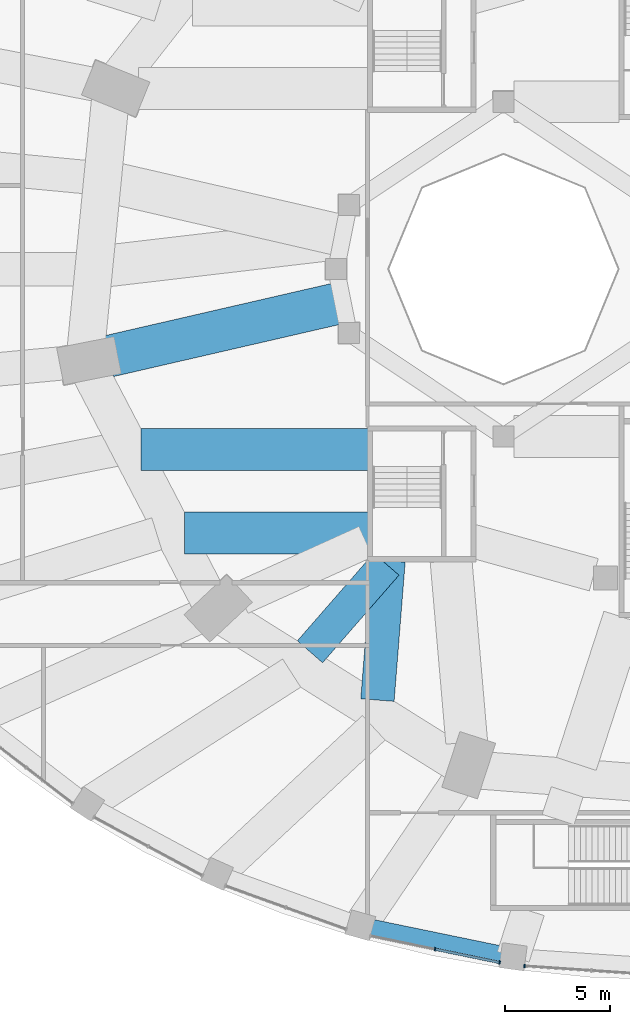
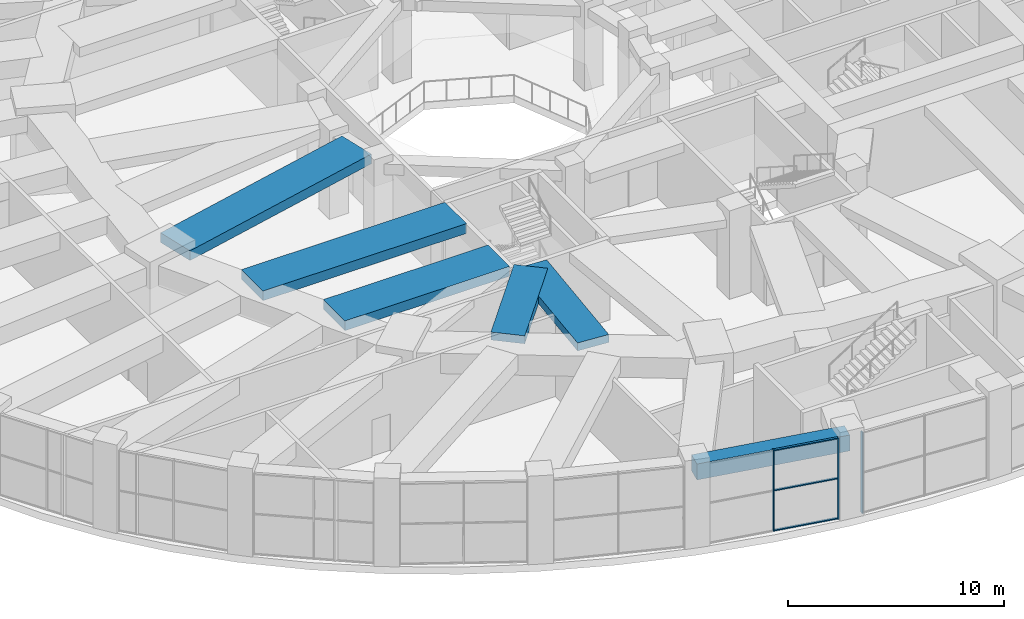
# One storey, part 4 of 32: 6 beams, 6 members, 2 elements without a shape of their own.
"""IFC4 building model written with IfcOpenShell, lengths in metres."""

from ifc_helpers import new_model, si_unit, direction, frame, origin, origin_2d, place, context, subcontext, project, spatial, rectangle, extrude, material, material_profile, profile_set, type_object, element, aggregate, save


model = new_model("IFC4")

# Units and contexts
model_context = context("Model", 3, precision=1e-05, world=origin(), true_north=direction((0.0, 1.0)))
body_context = subcontext(model_context, "Body", "Model", "MODEL_VIEW")
ifc_project = project(units=[si_unit("LENGTHUNIT", "METRE"), si_unit("AREAUNIT", "SQUARE_METRE"), si_unit("VOLUMEUNIT", "CUBIC_METRE"), si_unit("PLANEANGLEUNIT", "RADIAN"), si_unit("MASSUNIT", "GRAM", prefix="KILO")], contexts=[model_context])

# Site, building, storey
site_placement = place(None, origin())
site = spatial("IfcSite", under=ifc_project, at=site_placement, CompositionType="ELEMENT")
building_placement = place(site_placement, origin())
building = spatial("IfcBuilding", under=site, at=building_placement, Name="Taillehof Tower", CompositionType="ELEMENT")
storey_placement = place(building_placement, frame((0.0, 0.0, 7.5)))
storey = spatial("IfcBuildingStorey", under=building, at=storey_placement, Name="L01", CompositionType="ELEMENT", Elevation=7.5)

# Beam
ifc_material_1 = material(Name="Concrete C50/60", Category="concrete")
ifc_material_profile_1 = material_profile(ifc_material_1, rectangle(XDim=0.800048828125, YDim=0.89990234375, at=origin_2d()), Name="RC 800x900")
ifc_profile_set_1 = profile_set([ifc_material_profile_1], Name="Concrete C50/60")
beam_type_1 = type_object("IfcBeamType", Name="Podium edge beam C50/60 800x900", PredefinedType="BEAM", material=ifc_profile_set_1)
beam_1_placement = place(storey_placement, frame((-14.84375, -31.3857421875, 4.139892578125), z_axis=(0.979394077534, -0.201958512797, 0.0), x_axis=(0.201958512797, 0.979394077534, 0.0)))
element("IfcBeam", 1, at=beam_1_placement, inside=storey, type_object=beam_type_1, Name="Podium edge beam PB26", PredefinedType="BEAM", context=body_context, shape_type="SweptSolid", body=[
    extrude(rectangle(XDim=0.800048828125, YDim=0.89990234375, at=origin_2d()), origin(), (0.0, 0.0, 1.0), 7.461181640625),
])

# Curtain wall, members
ifc_material_2 = material(Name="Aluminium curtain wall with Clear low-emissivity double glazing", Category="aluminium")
curtain_wall_type = type_object("IfcCurtainWallType", Name="Podium window wall curtain wall", PredefinedType="USERDEFINED", material=ifc_material_2)
curtain_wall_1_placement = place(storey_placement, origin())
curtain_wall_1 = element("IfcCurtainWall", 2, at=curtain_wall_1_placement, inside=storey, type_object=curtain_wall_type, Name="Podium window wall L01 bay 26", ObjectType="WINDOW WALL", PredefinedType="USERDEFINED")
ifc_material_3 = material(Name="Aluminium mullion", Category="aluminium")
ifc_material_profile_2 = material_profile(ifc_material_3, rectangle(XDim=0.159912109375, YDim=0.06005859375, at=origin_2d()), Name="AL 60x160")
ifc_profile_set_2 = profile_set([ifc_material_profile_2], Name="Aluminium mullion")
member_type_1 = type_object("IfcMemberType", Name="Podium window wall mullion 60x160", PredefinedType="MULLION", material=ifc_profile_set_2)
member_1_placement = place(storey_placement, frame((-11.27099609375, -32.529296875, 0.0), z_axis=(0.0, 0.0, 1.0), x_axis=(0.201976001877, 0.97939047099, 0.0)))
member_1 = element("IfcMember", 3, at=member_1_placement, type_object=member_type_1, Name="CT226 mullion 2", PredefinedType="MULLION", context=body_context, shape_type="SweptSolid", body=[
    extrude(rectangle(XDim=0.159912109375, YDim=0.06005859375, at=origin_2d()), origin(), (0.0, 0.0, 1.0), 4.590087890625),
])
member_2_placement = place(storey_placement, frame((-8.17919921875, -33.1669921875, 0.0), z_axis=(0.0, 0.0, 1.0), x_axis=(0.201976001877, 0.97939047099, 0.0)))
member_2 = element("IfcMember", 4, at=member_2_placement, type_object=member_type_1, Name="CT226 mullion 3", PredefinedType="MULLION", context=body_context, shape_type="SweptSolid", body=[
    extrude(rectangle(XDim=0.159912109375, YDim=0.06005859375, at=origin_2d()), origin(), (0.0, 0.0, 1.0), 4.590087890625),
])

# Curtain wall, member
curtain_wall_2_placement = place(storey_placement, origin())
curtain_wall_2 = element("IfcCurtainWall", 5, at=curtain_wall_2_placement, inside=storey, type_object=curtain_wall_type, Name="Podium window wall L01 bay 27", ObjectType="WINDOW WALL", PredefinedType="USERDEFINED")
member_3_placement = place(storey_placement, frame((-6.990234375, -33.328857421875, 0.0), z_axis=(0.0, 0.0, 1.0), x_axis=(0.067182989977, 0.997740670644, 0.0)))
member_3 = element("IfcMember", 6, at=member_3_placement, type_object=member_type_1, Name="CT227 mullion 1", PredefinedType="MULLION", context=body_context, shape_type="SweptSolid", body=[
    extrude(rectangle(XDim=0.159912109375, YDim=0.06005859375, at=origin_2d()), origin(), (0.0, 0.0, 1.0), 4.590087890625),
])
aggregate(curtain_wall_2, [member_3])

# Member
ifc_material_4 = material(Name="Aluminium transom", Category="aluminium")
ifc_material_profile_3 = material_profile(ifc_material_4, rectangle(XDim=0.1201171875, YDim=0.06005859375, at=origin_2d()), Name="AL 120x60")
ifc_profile_set_3 = profile_set([ifc_material_profile_3], Name="Aluminium transom")
member_type_2 = type_object("IfcMemberType", Name="Podium window wall transom 120x60", PredefinedType="USERDEFINED", material=ifc_profile_set_3)
member_4_placement = place(storey_placement, frame((-11.24169921875, -32.535400390625, 0.030029296875), z_axis=(0.979389666619, -0.201979902268, 0.0), x_axis=(0.201979902268, 0.979389666619, 0.0)))
member_4 = element("IfcMember", 7, at=member_4_placement, type_object=member_type_2, Name="CT226 transom 2.1", ObjectType="TRANSOM", PredefinedType="USERDEFINED", context=body_context, shape_type="SweptSolid", body=[
    extrude(rectangle(XDim=0.1201171875, YDim=0.06005859375, at=origin_2d()), origin(), (0.0, 0.0, 1.0), 3.0966796875),
])

member_5_placement = place(storey_placement, frame((-11.24169921875, -32.535400390625, 2.294921875), z_axis=(0.979389666619, -0.201979902268, 0.0), x_axis=(0.201979902268, 0.979389666619, 0.0)))
member_5 = element("IfcMember", 8, at=member_5_placement, type_object=member_type_2, Name="CT226 transom 2.2", ObjectType="TRANSOM", PredefinedType="USERDEFINED", context=body_context, shape_type="SweptSolid", body=[
    extrude(rectangle(XDim=0.1201171875, YDim=0.06005859375, at=origin_2d()), origin(), (0.0, 0.0, 1.0), 3.0966796875),
])

member_6_placement = place(storey_placement, frame((-11.24169921875, -32.535400390625, 4.56005859375), z_axis=(0.979389666619, -0.201979902268, 0.0), x_axis=(0.201979902268, 0.979389666619, 0.0)))
member_6 = element("IfcMember", 9, at=member_6_placement, type_object=member_type_2, Name="CT226 transom 2.3", ObjectType="TRANSOM", PredefinedType="USERDEFINED", context=body_context, shape_type="SweptSolid", body=[
    extrude(rectangle(XDim=0.1201171875, YDim=0.06005859375, at=origin_2d()), origin(), (0.0, 0.0, 1.0), 3.0966796875),
])

aggregate(curtain_wall_1, [member_1, member_2, member_4, member_5, member_6])

# Beams
ifc_material_5 = material(Name="Concrete C50/60", Category="concrete")
ifc_material_profile_4 = material_profile(ifc_material_5, rectangle(XDim=1.60009765625, YDim=0.449951171875, at=origin_2d()), Name="RC 1600x450")
ifc_profile_set_4 = profile_set([ifc_material_profile_4], Name="Concrete C50/60")
beam_type_2 = type_object("IfcBeamType", Name="Radial band beam C50/60 1600x450", PredefinedType="BEAM", material=ifc_profile_set_4)
beam_2_placement = place(storey_placement, frame((-17.2529296875, -18.3037109375, 4.364990234375), z_axis=(0.657226031151, 0.75369353452, 0.0), x_axis=(-0.75369353452, 0.657226031151, 0.0)))
element("IfcBeam", 10, at=beam_2_placement, inside=storey, type_object=beam_type_2, Name="Radial band beam RB24", PredefinedType="BEAM", context=body_context, shape_type="SweptSolid", body=[
    extrude(rectangle(XDim=1.60009765625, YDim=0.449951171875, at=origin_2d()), origin(), (0.0, 0.0, 1.0), 5.560302734375),
])
beam_3_placement = place(storey_placement, frame((-14.025390625, -20.612060546875, 4.364990234375), z_axis=(0.079202161818, 0.996858574505, 0.0), x_axis=(-0.996858574505, 0.079202161818, 0.0)))
element("IfcBeam", 11, at=beam_3_placement, inside=storey, type_object=beam_type_2, Name="Radial band beam RB25", PredefinedType="BEAM", context=body_context, shape_type="SweptSolid", body=[
    extrude(rectangle(XDim=1.60009765625, YDim=0.449951171875, at=origin_2d()), origin(), (0.0, 0.0, 1.0), 6.682861328125),
])
ifc_material_6 = material(Name="Concrete C50/60", Category="concrete")
ifc_material_profile_5 = material_profile(ifc_material_6, rectangle(XDim=2.0, YDim=0.550048828125, at=origin_2d()), Name="RC 2000x550")
ifc_profile_set_5 = profile_set([ifc_material_profile_5], Name="Concrete C50/60")
beam_type_3 = type_object("IfcBeamType", Name="Radial band beam C50/60 2000x550", PredefinedType="BEAM", material=ifc_profile_set_5)
beam_4_placement = place(storey_placement, frame((-26.8681640625, -4.165283203125, 4.31494140625), z_axis=(0.974507582224, 0.224354568011, 0.0), x_axis=(-0.224354568011, 0.974507582224, 0.0)))
element("IfcBeam", 12, at=beam_4_placement, inside=storey, type_object=beam_type_3, Name="Radial band beam RB20", PredefinedType="BEAM", context=body_context, shape_type="SweptSolid", body=[
    extrude(rectangle(XDim=2.0, YDim=0.550048828125, at=origin_2d()), origin(), (0.0, 0.0, 1.0), 11.47705078125),
])
beam_5_placement = place(storey_placement, frame((-25.33984375, -8.635986328125, 4.31494140625), z_axis=(1.0, 0.0, 0.0), x_axis=(0.0, 1.0, 0.0)))
element("IfcBeam", 13, at=beam_5_placement, inside=storey, type_object=beam_type_3, Name="Radial band beam RB21", PredefinedType="BEAM", context=body_context, shape_type="SweptSolid", body=[
    extrude(rectangle(XDim=2.0, YDim=0.550048828125, at=origin_2d()), origin(), (0.0, 0.0, 1.0), 10.889892578125),
])
beam_6_placement = place(storey_placement, frame((-23.2587890625, -12.625, 4.31494140625), z_axis=(1.0, 0.0, 0.0), x_axis=(0.0, 1.0, 0.0)))
element("IfcBeam", 14, at=beam_6_placement, inside=storey, type_object=beam_type_3, Name="Radial band beam RB22", PredefinedType="BEAM", context=body_context, shape_type="SweptSolid", body=[
    extrude(rectangle(XDim=2.0, YDim=0.550048828125, at=origin_2d()), origin(), (0.0, 0.0, 1.0), 8.808837890625),
])

save(model, "model.ifc")
